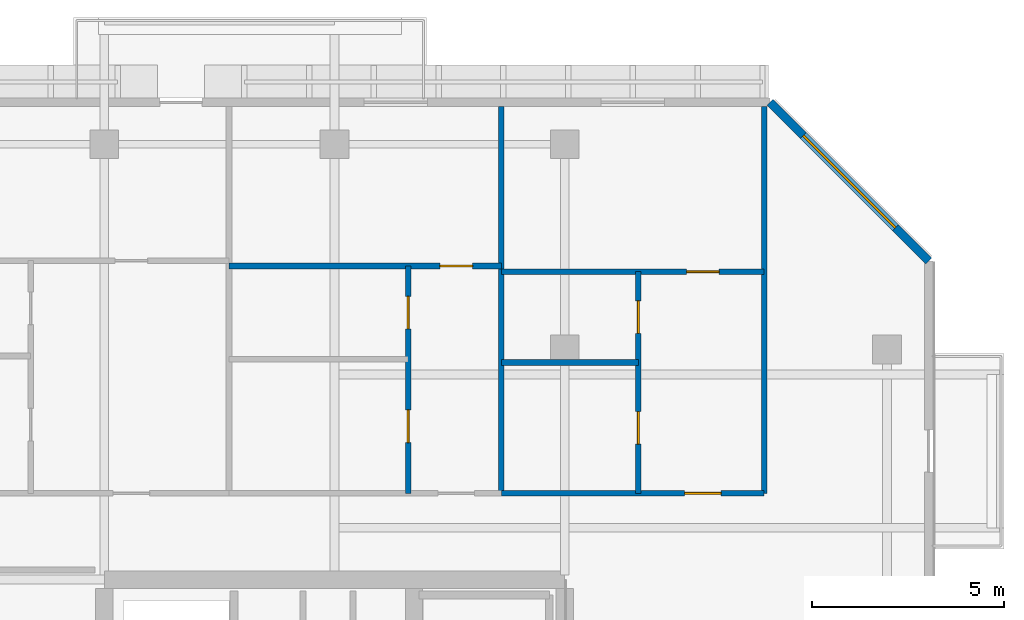
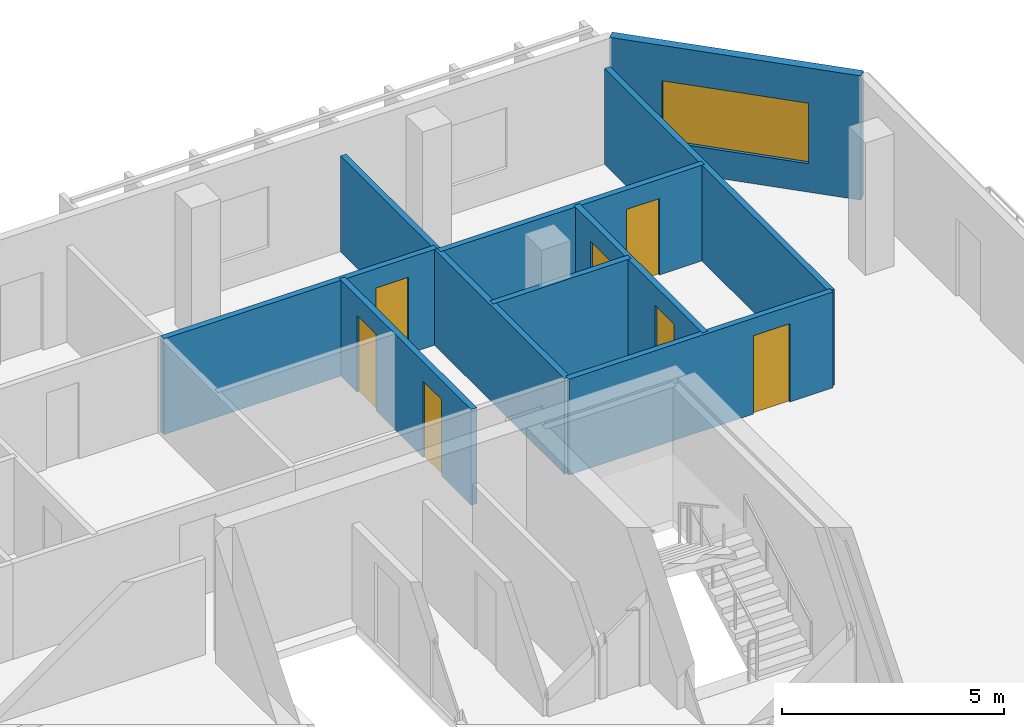
# One storey, part 16 of 23: 9 walls, 7 doors, 1 window, 8 openings.
"""IFC4 building model written with IfcOpenShell, lengths in metres."""

from ifc_helpers import new_model, si_unit, direction, frame, frame_2d, origin, place, context, subcontext, project, spatial, rectangle, extrude, material, layer, layer_set, type_object, element, fill, save


model = new_model("IFC4")

# Units and contexts
model_context = context("Model", 3, precision=1e-05, world=origin(), true_north=direction((0.0, 1.0)))
body_context = subcontext(model_context, "Body", "Model", "MODEL_VIEW")
ifc_project = project(units=[si_unit("LENGTHUNIT", "METRE"), si_unit("AREAUNIT", "SQUARE_METRE"), si_unit("VOLUMEUNIT", "CUBIC_METRE"), si_unit("PLANEANGLEUNIT", "RADIAN"), si_unit("MASSUNIT", "GRAM", prefix="KILO")], contexts=[model_context])

# Site, building, storey
site_placement = place(None, origin())
site = spatial("IfcSite", under=ifc_project, at=site_placement, CompositionType="ELEMENT")
building_placement = place(site_placement, origin())
building = spatial("IfcBuilding", under=site, at=building_placement, Name="Tanjung Sevakor Pilgrim Tower", CompositionType="ELEMENT")
storey_placement = place(building_placement, frame((0.0, 0.0, 215.489990234375)))
storey = spatial("IfcBuildingStorey", under=building, at=storey_placement, Name="L60", CompositionType="ELEMENT", Elevation=215.489990234375)

# Walls
ifc_material_1 = material(Name="Concrete C40/50", Category="concrete")
ifc_layer_1 = layer(ifc_material_1, 0.14990234375)
ifc_layer_set_1 = layer_set([ifc_layer_1], Name="WT-COMP-150")
wall_type_1 = type_object("IfcWallType", Name="WT-COMP-150", PredefinedType="SOLIDWALL", material=ifc_layer_set_1)
for number, where, z_axis, x_axis, name in (
    (1, (95.199951171875, 44.85009765625, 0.0), (0.0, 0.0, 1.0), (0.0, 1.0, 0.0), "L60 Partition IW-L60-105"),
    (2, (88.346435546875, 44.85009765625, 0.0), (0.0, 0.0, 1.0), (0.0, 1.0, 0.0), "L60 Partition IW-L60-123"),
):
    element("IfcWall", number, at=place(storey_placement, frame(where, z_axis=z_axis, x_axis=x_axis)), inside=storey, type_object=wall_type_1, Name=name, PredefinedType="SOLIDWALL", context=body_context, shape_type="SweptSolid", body=[
        extrude(rectangle(XDim=10.079833984375, YDim=0.14990234375, at=frame_2d((5.0400390625, 0.0))), origin(), (0.0, 0.0, 1.0), 2.6298828125),
    ])

# Wall, opening, door
wall_1_placement = place(storey_placement, frame((88.346435546875, 44.85009765625, 0.0), z_axis=(0.0, 0.0, 1.0), x_axis=(1.0, 0.0, 0.0)))
wall_1 = element("IfcWall", 3, at=wall_1_placement, inside=storey, type_object=wall_type_1, Name="L60 Partition IW-L60-131", PredefinedType="SOLIDWALL", context=body_context, shape_type="SweptSolid", body=[
    extrude(rectangle(XDim=6.853515625, YDim=0.14990234375, at=frame_2d((3.4267578125, 0.0))), origin(), (0.0, 0.0, 1.0), 2.6298828125),
])
opening_1_placement = place(wall_1_placement, frame((4.778564453125, 0.0, 0.0)))
opening_1 = element("IfcOpeningElement", 4, at=opening_1_placement, cuts=wall_1, Name="Opening ID-FD2", PredefinedType="OPENING", context=body_context, shape_type="SweptSolid", body=[
    extrude(rectangle(XDim=0.949951171875, YDim=2.14990234375, at=frame_2d((0.47509765625, 1.074951171875))), frame((0.0, 0.0849609375, 0.0), z_axis=(0.0, -1.0, 0.0), x_axis=(1.0, 0.0, 0.0)), (0.0, 0.0, 1.0), 0.169921875),
])
ifc_material_2 = material(Name="Fire-Rated Timber", Category="wood")
door_type_1 = type_object("IfcDoorType", Name="DT-FIRE-950", OperationType="NOTDEFINED", PredefinedType="DOOR", material=ifc_material_2)
door_1_placement = place(opening_1_placement, origin())
door_1 = element("IfcDoor", 5, at=door_1_placement, inside=storey, type_object=door_type_1, Name="Residence Entrance", OperationType="SINGLE_SWING_LEFT", OverallHeight=2.14990234375, OverallWidth=0.949951171875, PredefinedType="DOOR", context=body_context, shape_type="SweptSolid", body=[
    extrude(rectangle(XDim=0.949951171875, YDim=2.14990234375, at=frame_2d((0.47509765625, 1.074951171875))), frame((0.0, 0.02490234375, 0.0), z_axis=(0.0, -1.0, 0.0), x_axis=(1.0, 0.0, 0.0)), (0.0, 0.0, 1.0), 0.050048828125),
])
fill(opening_1, door_1)

# Wall, opening, window
ifc_material_3 = material(Name="Precast concrete C45/55", Category="concrete")
ifc_layer_2 = layer(ifc_material_3, 0.219970703125)
ifc_layer_set_2 = layer_set([ifc_layer_2], Name="WT-EW-STN4")
wall_type_2 = type_object("IfcWallType", Name="WT-EW-STN4", PredefinedType="SOLIDWALL", material=ifc_layer_set_2)
wall_2_placement = place(storey_placement, frame((99.489990234375, 50.904296875, 0.0), z_axis=(0.0, 0.0, 1.0), x_axis=(-0.707085909342, 0.707127652415, 0.0)))
wall_2 = element("IfcWall", 6, at=wall_2_placement, inside=storey, type_object=wall_type_2, Name="L60 MAIN Sculpted Corner Wall 7", PredefinedType="SOLIDWALL", context=body_context, shape_type="SweptSolid", body=[
    extrude(rectangle(XDim=5.8486328125, YDim=0.219970703125, at=frame_2d((2.92431640625, 0.0))), origin(), (0.0, 0.0, 1.0), 3.409912109375),
])
opening_2_placement = place(wall_2_placement, frame((1.224365234375, 0.0, 0.780029296875)))
opening_2 = element("IfcOpeningElement", 7, at=opening_2_placement, cuts=wall_2, Name="Opening WN-CHM-1660", PredefinedType="OPENING", context=body_context, shape_type="SweptSolid", body=[
    extrude(rectangle(XDim=3.39990234375, YDim=1.659912109375, at=frame_2d((1.699951171875, 0.830078125))), frame((0.0, 0.119873046875, 0.0), z_axis=(0.0, -1.0, 0.0), x_axis=(1.0, 0.0, 0.0)), (0.0, 0.0, 1.0), 0.239990234375),
])
ifc_material_4 = material(Name="Thermally Broken Aluminium and Low-E Glass", Category="aluminium")
window_type = type_object("IfcWindowType", Name="WTYP-WN-CHM-1660", PartitioningType="DOUBLE_PANEL_VERTICAL", PredefinedType="WINDOW", material=ifc_material_4)
window_placement = place(opening_2_placement, origin())
window = element("IfcWindow", 8, at=window_placement, inside=storey, type_object=window_type, Name="L60 Facade Window 01", OverallHeight=1.659912109375, OverallWidth=3.39990234375, PartitioningType="SINGLE_PANEL", PredefinedType="WINDOW", context=body_context, shape_type="SweptSolid", body=[
    extrude(rectangle(XDim=3.39990234375, YDim=1.659912109375, at=frame_2d((1.699951171875, 0.830078125))), frame((0.0, 0.030029296875, 0.0), z_axis=(0.0, -1.0, 0.0), x_axis=(1.0, 0.0, 0.0)), (0.0, 0.0, 1.0), 0.06005859375),
])
fill(opening_2, window)

# Wall, openings, doors
ifc_material_5 = material(Name="Gypsum Board Partition", Category="gypsum board")
ifc_layer_3 = layer(ifc_material_5, 0.14990234375)
ifc_layer_set_3 = layer_set([ifc_layer_3], Name="WT-PART-150")
wall_type_3 = type_object("IfcWallType", Name="WT-PART-150", PredefinedType="PARTITIONING", material=ifc_layer_set_3)
wall_3_placement = place(storey_placement, frame((85.919921875, 44.85009765625, 0.0), z_axis=(0.0, 0.0, 1.0), x_axis=(0.0, 1.0, 0.0)))
wall_3 = element("IfcWall", 9, at=wall_3_placement, inside=storey, type_object=wall_type_3, Name="L60 Partition IW-L60-125", PredefinedType="PARTITIONING", context=body_context, shape_type="SweptSolid", body=[
    extrude(rectangle(XDim=5.924072265625, YDim=0.14990234375, at=frame_2d((2.9619140625, 0.0))), origin(), (0.0, 0.0, 1.0), 2.6298828125),
])
opening_3_placement = place(wall_3_placement, frame((1.322509765625, 0.0, 0.0)))
opening_3 = element("IfcOpeningElement", 10, at=opening_3_placement, cuts=wall_3, Name="Opening ID-WC1", PredefinedType="OPENING", context=body_context, shape_type="SweptSolid", body=[
    extrude(rectangle(XDim=0.85009765625, YDim=2.10009765625, at=frame_2d((0.425048828125, 1.050048828125))), frame((0.0, 0.0849609375, 0.0), z_axis=(0.0, -1.0, 0.0), x_axis=(1.0, 0.0, 0.0)), (0.0, 0.0, 1.0), 0.169921875),
])
opening_4_placement = place(wall_3_placement, frame((4.28466796875, 0.0, 0.0)))
opening_4 = element("IfcOpeningElement", 11, at=opening_4_placement, cuts=wall_3, Name="Opening ID-WC1", PredefinedType="OPENING", context=body_context, shape_type="SweptSolid", body=[
    extrude(rectangle(XDim=0.85009765625, YDim=2.10009765625, at=frame_2d((0.425048828125, 1.050048828125))), frame((0.0, 0.0849609375, 0.0), z_axis=(0.0, -1.0, 0.0), x_axis=(1.0, 0.0, 0.0)), (0.0, 0.0, 1.0), 0.169921875),
])
ifc_material_6 = material(Name="Moisture-Resistant Timber", Category="wood")
door_type_2 = type_object("IfcDoorType", Name="DT-INT-850", OperationType="NOTDEFINED", PredefinedType="DOOR", material=ifc_material_6)
door_2_placement = place(opening_3_placement, origin())
door_2 = element("IfcDoor", 12, at=door_2_placement, inside=storey, type_object=door_type_2, Name="Residence Kitchenette Door", OperationType="SINGLE_SWING_RIGHT", OverallHeight=2.10009765625, OverallWidth=0.85009765625, PredefinedType="DOOR", context=body_context, shape_type="SweptSolid", body=[
    extrude(rectangle(XDim=0.85009765625, YDim=2.10009765625, at=frame_2d((0.425048828125, 1.050048828125))), frame((0.0, 0.02490234375, 0.0), z_axis=(0.0, -1.0, 0.0), x_axis=(1.0, 0.0, 0.0)), (0.0, 0.0, 1.0), 0.050048828125),
])
fill(opening_3, door_2)
door_3_placement = place(opening_4_placement, origin())
door_3 = element("IfcDoor", 13, at=door_3_placement, inside=storey, type_object=door_type_2, Name="Residence Bathroom Door", OperationType="SINGLE_SWING_LEFT", OverallHeight=2.10009765625, OverallWidth=0.85009765625, PredefinedType="DOOR", context=body_context, shape_type="SweptSolid", body=[
    extrude(rectangle(XDim=0.85009765625, YDim=2.10009765625, at=frame_2d((0.425048828125, 1.050048828125))), frame((0.0, 0.02490234375, 0.0), z_axis=(0.0, -1.0, 0.0), x_axis=(1.0, 0.0, 0.0)), (0.0, 0.0, 1.0), 0.050048828125),
])
fill(opening_4, door_3)

# Wall, opening, door
wall_4_placement = place(storey_placement, frame((81.248046875, 50.774169921875, 0.0), z_axis=(0.0, 0.0, 1.0), x_axis=(1.0, 0.0, 0.0)))
wall_4 = element("IfcWall", 14, at=wall_4_placement, inside=storey, type_object=wall_type_3, Name="L60 Partition IW-L60-126", PredefinedType="PARTITIONING", context=body_context, shape_type="SweptSolid", body=[
    extrude(rectangle(XDim=7.098388671875, YDim=0.14990234375, at=frame_2d((3.54931640625, 0.0))), origin(), (0.0, 0.0, 1.0), 2.6298828125),
])
opening_5_placement = place(wall_4_placement, frame((5.500244140625, 0.0, 0.0)))
opening_5 = element("IfcOpeningElement", 15, at=opening_5_placement, cuts=wall_4, Name="Opening ID-WC1", PredefinedType="OPENING", context=body_context, shape_type="SweptSolid", body=[
    extrude(rectangle(XDim=0.85009765625, YDim=2.10009765625, at=frame_2d((0.425048828125, 1.050048828125))), frame((0.0, 0.0849609375, 0.0), z_axis=(0.0, -1.0, 0.0), x_axis=(1.0, 0.0, 0.0)), (0.0, 0.0, 1.0), 0.169921875),
])
door_4_placement = place(opening_5_placement, origin())
door_4 = element("IfcDoor", 16, at=door_4_placement, inside=storey, type_object=door_type_2, Name="Residence Bedroom Door", OperationType="SINGLE_SWING_RIGHT", OverallHeight=2.10009765625, OverallWidth=0.85009765625, PredefinedType="DOOR", context=body_context, shape_type="SweptSolid", body=[
    extrude(rectangle(XDim=0.85009765625, YDim=2.10009765625, at=frame_2d((0.425048828125, 1.050048828125))), frame((0.0, 0.02490234375, 0.0), z_axis=(0.0, -1.0, 0.0), x_axis=(1.0, 0.0, 0.0)), (0.0, 0.0, 1.0), 0.050048828125),
])
fill(opening_5, door_4)

# Wall
wall_5_placement = place(storey_placement, frame((88.346435546875, 48.2578125, 0.0), z_axis=(0.0, 0.0, 1.0), x_axis=(1.0, 0.0, 0.0)))
element("IfcWall", 17, at=wall_5_placement, inside=storey, type_object=wall_type_3, Name="L60 Partition IW-L60-128", PredefinedType="PARTITIONING", context=body_context, shape_type="SweptSolid", body=[
    extrude(rectangle(XDim=3.573486328125, YDim=0.14990234375, at=frame_2d((1.78662109375, 0.0))), origin(), (0.0, 0.0, 1.0), 2.6298828125),
])

# Wall, openings, doors
wall_6_placement = place(storey_placement, frame((91.919921875, 44.85009765625, 0.0), z_axis=(0.0, 0.0, 1.0), x_axis=(0.0, 1.0, 0.0)))
wall_6 = element("IfcWall", 18, at=wall_6_placement, inside=storey, type_object=wall_type_3, Name="L60 Partition IW-L60-129", PredefinedType="PARTITIONING", context=body_context, shape_type="SweptSolid", body=[
    extrude(rectangle(XDim=5.775634765625, YDim=0.14990234375, at=frame_2d((2.8876953125, 0.0))), origin(), (0.0, 0.0, 1.0), 2.6298828125),
])
opening_6_placement = place(wall_6_placement, frame((1.27880859375, 0.0, 0.0)))
opening_6 = element("IfcOpeningElement", 19, at=opening_6_placement, cuts=wall_6, Name="Opening ID-WC1", PredefinedType="OPENING", context=body_context, shape_type="SweptSolid", body=[
    extrude(rectangle(XDim=0.85009765625, YDim=2.10009765625, at=frame_2d((0.425048828125, 1.050048828125))), frame((0.0, 0.0849609375, 0.0), z_axis=(0.0, -1.0, 0.0), x_axis=(1.0, 0.0, 0.0)), (0.0, 0.0, 1.0), 0.169921875),
])
opening_7_placement = place(wall_6_placement, frame((4.166748046875, 0.0, 0.0)))
opening_7 = element("IfcOpeningElement", 20, at=opening_7_placement, cuts=wall_6, Name="Opening ID-WC1", PredefinedType="OPENING", context=body_context, shape_type="SweptSolid", body=[
    extrude(rectangle(XDim=0.85009765625, YDim=2.10009765625, at=frame_2d((0.425048828125, 1.050048828125))), frame((0.0, 0.0849609375, 0.0), z_axis=(0.0, -1.0, 0.0), x_axis=(1.0, 0.0, 0.0)), (0.0, 0.0, 1.0), 0.169921875),
])
door_5_placement = place(opening_6_placement, origin())
door_5 = element("IfcDoor", 21, at=door_5_placement, inside=storey, type_object=door_type_2, Name="Residence Kitchenette Door", OperationType="SINGLE_SWING_RIGHT", OverallHeight=2.10009765625, OverallWidth=0.85009765625, PredefinedType="DOOR", context=body_context, shape_type="SweptSolid", body=[
    extrude(rectangle(XDim=0.85009765625, YDim=2.10009765625, at=frame_2d((0.425048828125, 1.050048828125))), frame((0.0, 0.02490234375, 0.0), z_axis=(0.0, -1.0, 0.0), x_axis=(1.0, 0.0, 0.0)), (0.0, 0.0, 1.0), 0.050048828125),
])
fill(opening_6, door_5)
door_6_placement = place(opening_7_placement, origin())
door_6 = element("IfcDoor", 22, at=door_6_placement, inside=storey, type_object=door_type_2, Name="Residence Bathroom Door", OperationType="SINGLE_SWING_LEFT", OverallHeight=2.10009765625, OverallWidth=0.85009765625, PredefinedType="DOOR", context=body_context, shape_type="SweptSolid", body=[
    extrude(rectangle(XDim=0.85009765625, YDim=2.10009765625, at=frame_2d((0.425048828125, 1.050048828125))), frame((0.0, 0.02490234375, 0.0), z_axis=(0.0, -1.0, 0.0), x_axis=(1.0, 0.0, 0.0)), (0.0, 0.0, 1.0), 0.050048828125),
])
fill(opening_7, door_6)

# Wall, opening, door
wall_7_placement = place(storey_placement, frame((88.346435546875, 50.625732421875, 0.0), z_axis=(0.0, 0.0, 1.0), x_axis=(1.0, 0.0, 0.0)))
wall_7 = element("IfcWall", 23, at=wall_7_placement, inside=storey, type_object=wall_type_3, Name="L60 Partition IW-L60-130", PredefinedType="PARTITIONING", context=body_context, shape_type="SweptSolid", body=[
    extrude(rectangle(XDim=6.853515625, YDim=0.14990234375, at=frame_2d((3.4267578125, 0.0))), origin(), (0.0, 0.0, 1.0), 2.6298828125),
])
opening_8_placement = place(wall_7_placement, frame((4.82861328125, 0.0, 0.0)))
opening_8 = element("IfcOpeningElement", 24, at=opening_8_placement, cuts=wall_7, Name="Opening ID-WC1", PredefinedType="OPENING", context=body_context, shape_type="SweptSolid", body=[
    extrude(rectangle(XDim=0.85009765625, YDim=2.10009765625, at=frame_2d((0.425048828125, 1.050048828125))), frame((0.0, 0.0849609375, 0.0), z_axis=(0.0, -1.0, 0.0), x_axis=(1.0, 0.0, 0.0)), (0.0, 0.0, 1.0), 0.169921875),
])
door_7_placement = place(opening_8_placement, origin())
door_7 = element("IfcDoor", 25, at=door_7_placement, inside=storey, type_object=door_type_2, Name="Residence Bedroom Door", OperationType="SINGLE_SWING_RIGHT", OverallHeight=2.10009765625, OverallWidth=0.85009765625, PredefinedType="DOOR", context=body_context, shape_type="SweptSolid", body=[
    extrude(rectangle(XDim=0.85009765625, YDim=2.10009765625, at=frame_2d((0.425048828125, 1.050048828125))), frame((0.0, 0.02490234375, 0.0), z_axis=(0.0, -1.0, 0.0), x_axis=(1.0, 0.0, 0.0)), (0.0, 0.0, 1.0), 0.050048828125),
])
fill(opening_8, door_7)

save(model, "model.ifc")
